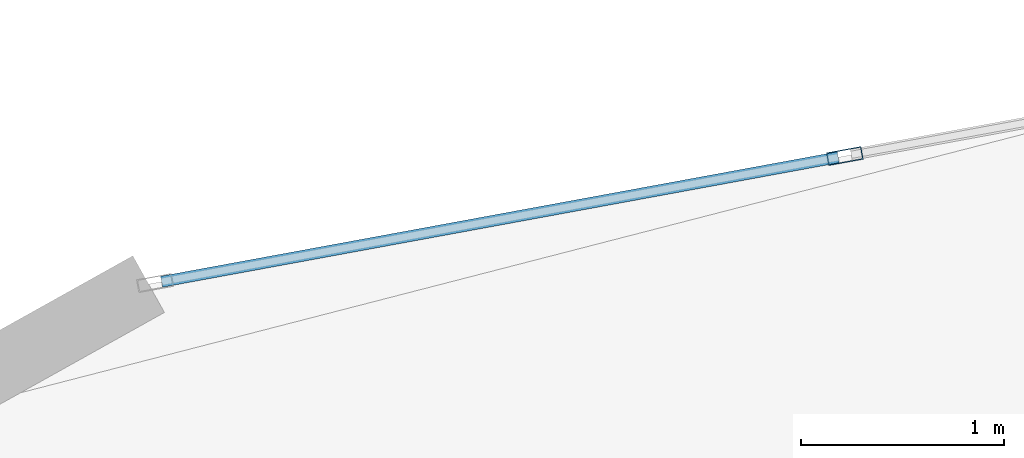
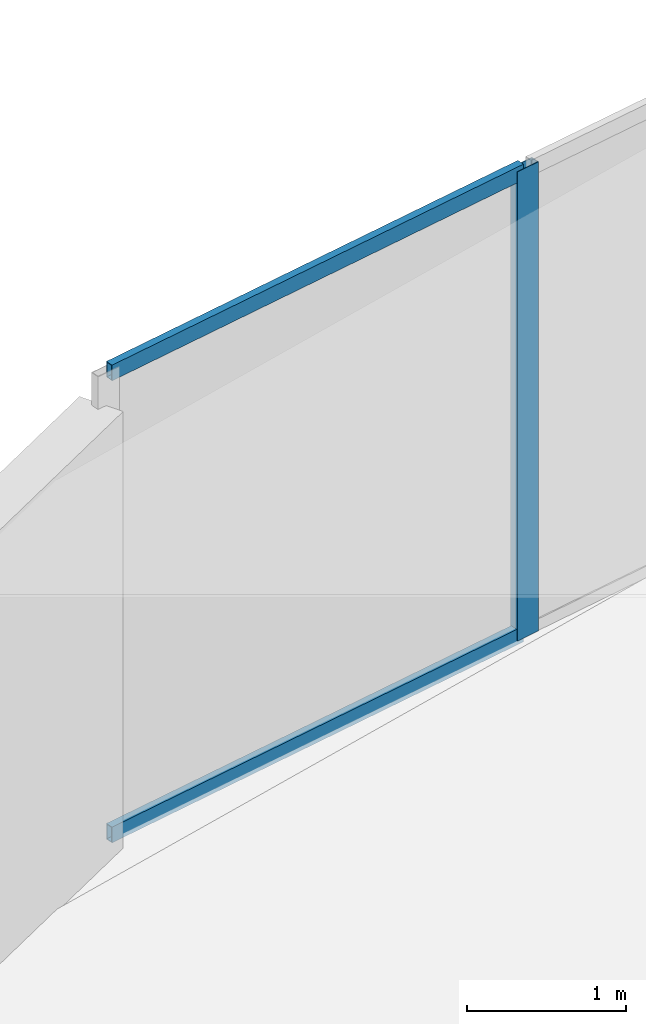
# One storey, part 14 of 23: 3 members, 1 element without a shape of its own.
"""IFC4 building model written with IfcOpenShell, lengths in metres."""

from ifc_helpers import new_model, si_unit, direction, frame, origin, origin_2d, place, context, subcontext, project, spatial, hollow_rectangle, extrude, source, transform, mapped, material, layer, layer_set, material_profile, profile_set, type_object, element, aggregate, save


model = new_model("IFC4")

# Units and contexts
model_context = context("Model", 3, precision=1e-05, world=origin(), true_north=direction((0.0, 1.0)))
body_context = subcontext(model_context, "Body", "Model", "MODEL_VIEW")
ifc_project = project(units=[si_unit("LENGTHUNIT", "METRE"), si_unit("AREAUNIT", "SQUARE_METRE"), si_unit("VOLUMEUNIT", "CUBIC_METRE"), si_unit("PLANEANGLEUNIT", "RADIAN"), si_unit("MASSUNIT", "GRAM", prefix="KILO")], contexts=[model_context])

# Site, building, storey
site_placement = place(None, origin())
site = spatial("IfcSite", under=ifc_project, at=site_placement, CompositionType="ELEMENT")
building_placement = place(site_placement, origin())
building = spatial("IfcBuilding", under=site, at=building_placement, Name="Solvirekh Grand Hotel", CompositionType="ELEMENT")
storey_placement = place(building_placement, frame((0.0, 0.0, 109.800048828125)))
storey = spatial("IfcBuildingStorey", under=building, at=storey_placement, Name="L27", CompositionType="ELEMENT", Elevation=109.800048828125)

# Curtain wall, members
ifc_material = material(Name="Anodized Bronze Aluminium 6063-T6", Category="aluminium")
ifc_layer = layer(ifc_material, 0.175048828125)
ifc_layer_set = layer_set([ifc_layer], Name="Anodized Bronze Aluminium 6063-T6")
curtain_wall_type = type_object("IfcCurtainWallType", Name="CW_Sys3_MidZoneFlushBronzeCW", PredefinedType="NOTDEFINED", material=ifc_layer_set)
curtain_wall_placement = place(storey_placement, origin())
curtain_wall = element("IfcCurtainWall", 1, at=curtain_wall_placement, inside=storey, type_object=curtain_wall_type, Name="L27 unitised bronze-glass curtain wall CW-L27-C08", PredefinedType="NOTDEFINED")
ifc_material_profile_1 = material_profile(ifc_material, hollow_rectangle(XDim=0.06494140625, YDim=0.175048828125, WallThickness=0.0048828125, at=origin_2d()), Name="ALU RHS 175X65X5")
ifc_profile_set_1 = profile_set([ifc_material_profile_1], Name="Anodized Bronze Aluminium 6063-T6")
member_type_1 = type_object("IfcMemberType", Name="CWMullion_Sys3", PredefinedType="MULLION", material=ifc_profile_set_1)
shared_shape_1 = source(origin(), body_context, "Body", "SweptSolid", [
    extrude(hollow_rectangle(XDim=0.06494140625, YDim=0.175048828125, WallThickness=0.0048828125, at=origin_2d()), origin(), (0.0, 0.0, 1.0), 3.599853515625),
])
member_1_placement = place(storey_placement, frame((-6.64794921875, 20.640380859375, 0.0), z_axis=(0.0, 0.0, 1.0), x_axis=(0.180987633873, -0.983485371719, 0.0)))
member_1 = element("IfcMember", 2, at=member_1_placement, type_object=member_type_1, Name="U03 mullion 2", PredefinedType="MULLION", context=body_context, shape_type="MappedRepresentation", body=[
    mapped(shared_shape_1, transform((0.0, 0.0, 0.0), x_axis=(1.0, 0.0, 0.0), y_axis=(0.0, 1.0, 0.0), z_axis=(0.0, 0.0, 1.0), scale=1.0)),
])
ifc_material_profile_2 = material_profile(ifc_material, hollow_rectangle(XDim=0.054931640625, YDim=0.1201171875, WallThickness=0.00390625, at=origin_2d()), Name="ALU RHS 120X55X4")
ifc_profile_set_2 = profile_set([ifc_material_profile_2], Name="Anodized Bronze Aluminium 6063-T6")
member_type_2 = type_object("IfcMemberType", Name="CWTransom_Sys3", PredefinedType="USERDEFINED", material=ifc_profile_set_2)
shared_shape_2 = source(origin(), body_context, "Body", "SweptSolid", [
    extrude(hollow_rectangle(XDim=0.054931640625, YDim=0.1201171875, WallThickness=0.00390625, at=origin_2d()), origin(), (0.0, 0.0, 1.0), 3.397216796875),
])
member_2_placement = place(storey_placement, frame((-6.679931640625, 20.634521484375, 0.02734375), z_axis=(-0.983490568923, -0.180959390029, 0.0), x_axis=(0.180959390029, -0.983490568923, 0.0)))
member_2 = element("IfcMember", 3, at=member_2_placement, type_object=member_type_2, Name="U03 transom 2.1", ObjectType="TRANSOM", PredefinedType="USERDEFINED", context=body_context, shape_type="MappedRepresentation", body=[
    mapped(shared_shape_2, transform((0.0, 0.0, 0.0), x_axis=(1.0, 0.0, 0.0), y_axis=(0.0, 1.0, 0.0), z_axis=(0.0, 0.0, 1.0), scale=1.0)),
])
member_3_placement = place(storey_placement, frame((-6.679931640625, 20.634521484375, 3.572509765625), z_axis=(-0.983490568923, -0.180959390029, 0.0), x_axis=(0.180959390029, -0.983490568923, 0.0)))
member_3 = element("IfcMember", 4, at=member_3_placement, type_object=member_type_2, Name="U03 transom 2.2", ObjectType="TRANSOM", PredefinedType="USERDEFINED", context=body_context, shape_type="MappedRepresentation", body=[
    mapped(shared_shape_2, transform((0.0, 0.0, 0.0), x_axis=(1.0, 0.0, 0.0), y_axis=(0.0, 1.0, 0.0), z_axis=(0.0, 0.0, 1.0), scale=1.0)),
])
aggregate(curtain_wall, [member_1, member_2, member_3])

save(model, "model.ifc")
